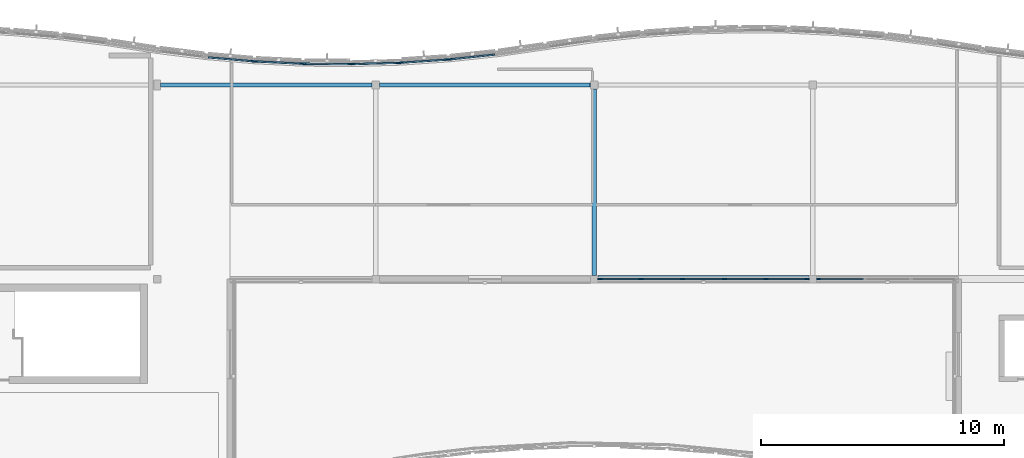
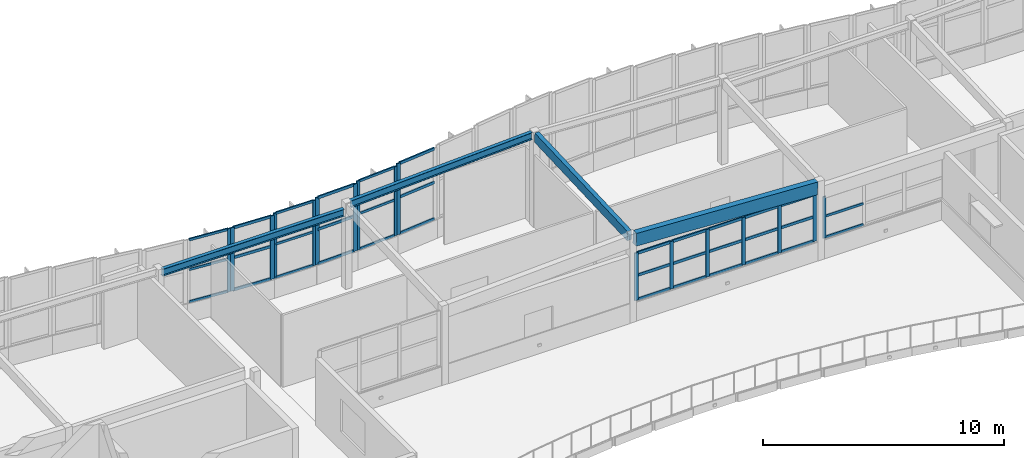
# One storey, part 5 of 20: 52 members, 4 beams, 8 elements without a shape of their own.
"""IFC4 building model written with IfcOpenShell, lengths in metres."""

from ifc_helpers import new_model, si_unit, direction, frame, origin, origin_2d, place, context, subcontext, project, spatial, rectangle, i_section, extrude, material, layer, layer_set, material_profile, profile_set, type_object, element, aggregate, save


model = new_model("IFC4")

# Units and contexts
model_context = context("Model", 3, precision=1e-05, world=origin(), true_north=direction((0.0, 1.0)))
body_context = subcontext(model_context, "Body", "Model", "MODEL_VIEW")
ifc_project = project(units=[si_unit("LENGTHUNIT", "METRE"), si_unit("AREAUNIT", "SQUARE_METRE"), si_unit("VOLUMEUNIT", "CUBIC_METRE"), si_unit("PLANEANGLEUNIT", "RADIAN"), si_unit("MASSUNIT", "GRAM", prefix="KILO")], contexts=[model_context])

# Site, building, storey
site_placement = place(None, origin())
site = spatial("IfcSite", under=ifc_project, at=site_placement, CompositionType="ELEMENT")
building_placement = place(site_placement, origin())
building = spatial("IfcBuilding", under=site, at=building_placement, Name="Tonlespit Floodbar School", CompositionType="ELEMENT")
storey_placement = place(building_placement, frame((0.0, 0.0, 20.10009765625)))
storey = spatial("IfcBuildingStorey", under=building, at=storey_placement, Name="L05", CompositionType="ELEMENT", Elevation=20.10009765625)

# Beams
ifc_material_1 = material(Name="Glulam GL28h", Category="wood")
ifc_material_profile_1 = material_profile(ifc_material_1, rectangle(XDim=0.199951171875, YDim=0.47998046875, at=origin_2d()), Name="GL 200x480")
ifc_profile_set_1 = profile_set([ifc_material_profile_1], Name="Glulam GL28h")
beam_type_1 = type_object("IfcBeamType", Name="Beam_GL_200x480", PredefinedType="BEAM", material=ifc_profile_set_1)
beam_1_placement = place(storey_placement, frame((80.0, 112.159912109375, 4.193603515625), z_axis=(0.0, 0.999069533259, 0.043128502326), x_axis=(-1.0, 0.0, 0.0)))
element("IfcBeam", 1, at=beam_1_placement, inside=storey, type_object=beam_type_1, Name="L05 girder 1356", PredefinedType="BEAM", context=body_context, shape_type="SweptSolid", body=[
    extrude(rectangle(XDim=0.199951171875, YDim=0.47998046875, at=origin_2d()), origin(), (0.0, 0.0, 1.0), 7.687255859375),
])
ifc_material_profile_2 = material_profile(ifc_material_1, rectangle(XDim=0.280029296875, YDim=0.639892578125, at=origin_2d()), Name="GL 280x640")
ifc_profile_set_2 = profile_set([ifc_material_profile_2], Name="Glulam GL28h")
beam_type_2 = type_object("IfcBeamType", Name="Beam_GL_280x640", PredefinedType="BEAM", material=ifc_profile_set_2)
beam_2_placement = place(storey_placement, frame((80.159912109375, 112.0, 4.098876953125), z_axis=(0.998785324157, 0.0, -0.049273484237), x_axis=(0.0, 1.0, 0.0)))
element("IfcBeam", 2, at=beam_2_placement, inside=storey, type_object=beam_type_2, Name="L05 girder 1342", PredefinedType="BEAM", context=body_context, shape_type="SweptSolid", body=[
    extrude(rectangle(XDim=0.280029296875, YDim=0.639892578125, at=origin_2d()), origin(), (0.0, 0.0, 1.0), 8.690673828125),
])

# Curtain wall, member
ifc_material_2 = material(Name="Anodised Aluminium", Category="aluminium")
ifc_layer_1 = layer(ifc_material_2, 0.159912109375)
ifc_layer_set_1 = layer_set([ifc_layer_1], Name="Anodised Aluminium")
curtain_wall_type_1 = type_object("IfcCurtainWallType", Name="CurtainWall_1950x3200", PredefinedType="NOTDEFINED", material=ifc_layer_set_1)
curtain_wall_1_placement = place(storey_placement, origin())
curtain_wall_1 = element("IfcCurtainWall", 3, at=curtain_wall_1_placement, inside=storey, type_object=curtain_wall_type_1, Name="L05 unitised curtain wall 0218", PredefinedType="NOTDEFINED")
ifc_material_profile_3 = material_profile(ifc_material_2, rectangle(XDim=0.06494140625, YDim=0.14990234375, at=origin_2d()), Name="ALU M65x150")
ifc_profile_set_3 = profile_set([ifc_material_profile_3], Name="Anodised Aluminium")
member_type_1 = type_object("IfcMemberType", Name="CW_Mullion_65x150", PredefinedType="MULLION", material=ifc_profile_set_3)
member_1_placement = place(storey_placement, frame((65.927734375, 120.974853515625, 0.949951171875), z_axis=(0.0, 0.0, 1.0), x_axis=(0.086531117454, 0.996249148412, 0.0)))
member_1 = element("IfcMember", 4, at=member_1_placement, type_object=member_type_1, Name="CW-17 mullion 2", PredefinedType="MULLION", context=body_context, shape_type="SweptSolid", body=[
    extrude(rectangle(XDim=0.06494140625, YDim=0.14990234375, at=origin_2d()), origin(), (0.0, 0.0, 1.0), 3.197265625),
])

# Curtain wall, members
ifc_layer_2 = layer(ifc_material_2, 0.159912109375)
ifc_layer_set_2 = layer_set([ifc_layer_2], Name="Anodised Aluminium")
curtain_wall_type_2 = type_object("IfcCurtainWallType", Name="CurtainWall_1900x3300", PredefinedType="NOTDEFINED", material=ifc_layer_set_2)
curtain_wall_2_placement = place(storey_placement, origin())
curtain_wall_2 = element("IfcCurtainWall", 5, at=curtain_wall_2_placement, inside=storey, type_object=curtain_wall_type_2, Name="L05 unitised curtain wall 0220", PredefinedType="NOTDEFINED")
member_2_placement = place(storey_placement, frame((68.072509765625, 120.87158203125, 0.949951171875), z_axis=(0.0, 0.0, 1.0), x_axis=(0.009582893292, 0.999954083024, 0.0)))
member_2 = element("IfcMember", 6, at=member_2_placement, type_object=member_type_1, Name="CW-02 mullion 1", PredefinedType="MULLION", context=body_context, shape_type="SweptSolid", body=[
    extrude(rectangle(XDim=0.06494140625, YDim=0.14990234375, at=origin_2d()), origin(), (0.0, 0.0, 1.0), 3.2978515625),
])
member_3_placement = place(storey_placement, frame((69.927490234375, 120.853759765625, 0.949951171875), z_axis=(0.0, 0.0, 1.0), x_axis=(0.009582893292, 0.999954083024, 0.0)))
member_3 = element("IfcMember", 7, at=member_3_placement, type_object=member_type_1, Name="CW-02 mullion 2", PredefinedType="MULLION", context=body_context, shape_type="SweptSolid", body=[
    extrude(rectangle(XDim=0.06494140625, YDim=0.14990234375, at=origin_2d()), origin(), (0.0, 0.0, 1.0), 3.2978515625),
])

ifc_layer_3 = layer(ifc_material_2, 0.159912109375)
ifc_layer_set_3 = layer_set([ifc_layer_3], Name="Anodised Aluminium")
curtain_wall_type_3 = type_object("IfcCurtainWallType", Name="CurtainWall_1900x3500", PredefinedType="NOTDEFINED", material=ifc_layer_set_3)
curtain_wall_3_placement = place(storey_placement, origin())
curtain_wall_3 = element("IfcCurtainWall", 8, at=curtain_wall_3_placement, inside=storey, type_object=curtain_wall_type_3, Name="L05 unitised curtain wall 0222", PredefinedType="NOTDEFINED")
member_4_placement = place(storey_placement, frame((72.072265625, 120.91552734375, 0.949951171875), z_axis=(0.0, 0.0, 1.0), x_axis=(-0.067339767311, 0.99773010165, 0.0)))
member_4 = element("IfcMember", 9, at=member_4_placement, type_object=member_type_1, Name="CW-20 mullion 1", PredefinedType="MULLION", context=body_context, shape_type="SweptSolid", body=[
    extrude(rectangle(XDim=0.06494140625, YDim=0.14990234375, at=origin_2d()), origin(), (0.0, 0.0, 1.0), 3.49658203125),
])
member_5_placement = place(storey_placement, frame((73.927734375, 121.040771484375, 0.949951171875), z_axis=(0.0, 0.0, 1.0), x_axis=(-0.067339767311, 0.99773010165, 0.0)))
member_5 = element("IfcMember", 10, at=member_5_placement, type_object=member_type_1, Name="CW-20 mullion 2", PredefinedType="MULLION", context=body_context, shape_type="SweptSolid", body=[
    extrude(rectangle(XDim=0.06494140625, YDim=0.14990234375, at=origin_2d()), origin(), (0.0, 0.0, 1.0), 3.49658203125),
])

# Curtain wall, member
ifc_layer_4 = layer(ifc_material_2, 0.159912109375)
ifc_layer_set_4 = layer_set([ifc_layer_4], Name="Anodised Aluminium")
curtain_wall_type_4 = type_object("IfcCurtainWallType", Name="CurtainWall_5750x2100", PredefinedType="NOTDEFINED", material=ifc_layer_set_4)
curtain_wall_4_placement = place(storey_placement, origin())
curtain_wall_4 = element("IfcCurtainWall", 11, at=curtain_wall_4_placement, inside=storey, type_object=curtain_wall_type_4, Name="L05 unitised curtain wall 0246", PredefinedType="NOTDEFINED")
member_6_placement = place(storey_placement, frame((89.232421875, 112.0, 0.949951171875), z_axis=(0.0, 0.0, 1.0), x_axis=(0.0, -1.0, 0.0)))
member_6 = element("IfcMember", 12, at=member_6_placement, type_object=member_type_1, Name="CW-30 mullion 4", PredefinedType="MULLION", context=body_context, shape_type="SweptSolid", body=[
    extrude(rectangle(XDim=0.06494140625, YDim=0.14990234375, at=origin_2d()), origin(), (0.0, 0.0, 1.0), 2.0966796875),
])

# Curtain wall, members
ifc_layer_5 = layer(ifc_material_2, 0.159912109375)
ifc_layer_set_5 = layer_set([ifc_layer_5], Name="Anodised Aluminium")
curtain_wall_type_5 = type_object("IfcCurtainWallType", Name="CurtainWall_1900x3200", PredefinedType="NOTDEFINED", material=ifc_layer_set_5)
curtain_wall_5_placement = place(storey_placement, origin())
curtain_wall_5 = element("IfcCurtainWall", 13, at=curtain_wall_5_placement, inside=storey, type_object=curtain_wall_type_5, Name="L05 unitised curtain wall 0219", PredefinedType="NOTDEFINED")
ifc_material_profile_4 = material_profile(ifc_material_2, rectangle(XDim=0.06494140625, YDim=0.179931640625, at=origin_2d()), Name="ALU M65x180")
ifc_profile_set_4 = profile_set([ifc_material_profile_4], Name="Anodised Aluminium")
member_type_2 = type_object("IfcMemberType", Name="CW_Mullion_65x180", PredefinedType="MULLION", material=ifc_profile_set_4)
member_7_placement = place(storey_placement, frame((66.072509765625, 120.965087890625, 0.949951171875), z_axis=(0.0, 0.0, 1.0), x_axis=(0.048121270216, 0.998841500616, 0.0)))
member_7 = element("IfcMember", 14, at=member_7_placement, type_object=member_type_2, Name="CW-18 mullion 1", PredefinedType="MULLION", context=body_context, shape_type="SweptSolid", body=[
    extrude(rectangle(XDim=0.06494140625, YDim=0.179931640625, at=origin_2d()), origin(), (0.0, 0.0, 1.0), 3.203125),
])
member_8_placement = place(storey_placement, frame((67.927490234375, 120.875732421875, 0.949951171875), z_axis=(0.0, 0.0, 1.0), x_axis=(0.048121270216, 0.998841500616, 0.0)))
member_8 = element("IfcMember", 15, at=member_8_placement, type_object=member_type_2, Name="CW-18 mullion 2", PredefinedType="MULLION", context=body_context, shape_type="SweptSolid", body=[
    extrude(rectangle(XDim=0.06494140625, YDim=0.179931640625, at=origin_2d()), origin(), (0.0, 0.0, 1.0), 3.203125),
])

ifc_layer_6 = layer(ifc_material_2, 0.159912109375)
ifc_layer_set_6 = layer_set([ifc_layer_6], Name="Anodised Aluminium")
curtain_wall_type_6 = type_object("IfcCurtainWallType", Name="CurtainWall_1900x3400", PredefinedType="NOTDEFINED", material=ifc_layer_set_6)
curtain_wall_6_placement = place(storey_placement, origin())
curtain_wall_6 = element("IfcCurtainWall", 16, at=curtain_wall_6_placement, inside=storey, type_object=curtain_wall_type_6, Name="L05 unitised curtain wall 0221", PredefinedType="NOTDEFINED")
member_9_placement = place(storey_placement, frame((70.072509765625, 120.855224609375, 0.949951171875), z_axis=(0.0, 0.0, 1.0), x_axis=(-0.028790144226, 0.999585477883, 0.0)))
member_9 = element("IfcMember", 17, at=member_9_placement, type_object=member_type_2, Name="CW-19 mullion 1", PredefinedType="MULLION", context=body_context, shape_type="SweptSolid", body=[
    extrude(rectangle(XDim=0.06494140625, YDim=0.179931640625, at=origin_2d()), origin(), (0.0, 0.0, 1.0), 3.3955078125),
])
member_10_placement = place(storey_placement, frame((71.927490234375, 120.908447265625, 0.949951171875), z_axis=(0.0, 0.0, 1.0), x_axis=(-0.028790144226, 0.999585477883, 0.0)))
member_10 = element("IfcMember", 18, at=member_10_placement, type_object=member_type_2, Name="CW-19 mullion 2", PredefinedType="MULLION", context=body_context, shape_type="SweptSolid", body=[
    extrude(rectangle(XDim=0.06494140625, YDim=0.179931640625, at=origin_2d()), origin(), (0.0, 0.0, 1.0), 3.3955078125),
])

# Curtain wall, member
ifc_layer_7 = layer(ifc_material_2, 0.159912109375)
ifc_layer_set_7 = layer_set([ifc_layer_7], Name="Anodised Aluminium")
curtain_wall_type_7 = type_object("IfcCurtainWallType", Name="CurtainWall_1950x3600", PredefinedType="NOTDEFINED", material=ifc_layer_set_7)
curtain_wall_7_placement = place(storey_placement, origin())
curtain_wall_7 = element("IfcCurtainWall", 19, at=curtain_wall_7_placement, inside=storey, type_object=curtain_wall_type_7, Name="L05 unitised curtain wall 0223", PredefinedType="NOTDEFINED")
member_11_placement = place(storey_placement, frame((74.072021484375, 121.05322265625, 0.949951171875), z_axis=(0.0, 0.0, 1.0), x_axis=(-0.105787143968, 0.994388797288, 0.0)))
member_11 = element("IfcMember", 20, at=member_11_placement, type_object=member_type_2, Name="CW-21 mullion 1", PredefinedType="MULLION", context=body_context, shape_type="SweptSolid", body=[
    extrude(rectangle(XDim=0.06494140625, YDim=0.179931640625, at=origin_2d()), origin(), (0.0, 0.0, 1.0), 3.60107421875),
])

# Curtain wall, members
ifc_layer_8 = layer(ifc_material_2, 0.159912109375)
ifc_layer_set_8 = layer_set([ifc_layer_8], Name="Anodised Aluminium")
curtain_wall_type_8 = type_object("IfcCurtainWallType", Name="CurtainWall_8600x2400", PredefinedType="NOTDEFINED", material=ifc_layer_set_8)
curtain_wall_8_placement = place(storey_placement, origin())
curtain_wall_8 = element("IfcCurtainWall", 21, at=curtain_wall_8_placement, inside=storey, type_object=curtain_wall_type_8, Name="L05 unitised curtain wall 0247", PredefinedType="NOTDEFINED")
member_12_placement = place(storey_placement, frame((88.767578125, 112.0, 0.949951171875), z_axis=(0.0, 0.0, 1.0), x_axis=(0.0, -1.0, 0.0)))
member_12 = element("IfcMember", 22, at=member_12_placement, type_object=member_type_2, Name="CW-31 mullion 1", PredefinedType="MULLION", context=body_context, shape_type="SweptSolid", body=[
    extrude(rectangle(XDim=0.06494140625, YDim=0.179931640625, at=origin_2d()), origin(), (0.0, 0.0, 1.0), 2.400634765625),
])
member_13_placement = place(storey_placement, frame((87.080078125, 112.0, 0.949951171875), z_axis=(0.0, 0.0, 1.0), x_axis=(0.0, -1.0, 0.0)))
member_13 = element("IfcMember", 23, at=member_13_placement, type_object=member_type_2, Name="CW-31 mullion 2", PredefinedType="MULLION", context=body_context, shape_type="SweptSolid", body=[
    extrude(rectangle(XDim=0.06494140625, YDim=0.179931640625, at=origin_2d()), origin(), (0.0, 0.0, 1.0), 2.400634765625),
])
member_14_placement = place(storey_placement, frame((85.360107421875, 112.0, 0.949951171875), z_axis=(0.0, 0.0, 1.0), x_axis=(0.0, -1.0, 0.0)))
member_14 = element("IfcMember", 24, at=member_14_placement, type_object=member_type_2, Name="CW-31 mullion 3", PredefinedType="MULLION", context=body_context, shape_type="SweptSolid", body=[
    extrude(rectangle(XDim=0.06494140625, YDim=0.179931640625, at=origin_2d()), origin(), (0.0, 0.0, 1.0), 2.400634765625),
])
member_15_placement = place(storey_placement, frame((83.639892578125, 112.0, 0.949951171875), z_axis=(0.0, 0.0, 1.0), x_axis=(0.0, -1.0, 0.0)))
member_15 = element("IfcMember", 25, at=member_15_placement, type_object=member_type_2, Name="CW-31 mullion 4", PredefinedType="MULLION", context=body_context, shape_type="SweptSolid", body=[
    extrude(rectangle(XDim=0.06494140625, YDim=0.179931640625, at=origin_2d()), origin(), (0.0, 0.0, 1.0), 2.400634765625),
])
member_16_placement = place(storey_placement, frame((81.919921875, 112.0, 0.949951171875), z_axis=(0.0, 0.0, 1.0), x_axis=(0.0, -1.0, 0.0)))
member_16 = element("IfcMember", 26, at=member_16_placement, type_object=member_type_2, Name="CW-31 mullion 5", PredefinedType="MULLION", context=body_context, shape_type="SweptSolid", body=[
    extrude(rectangle(XDim=0.06494140625, YDim=0.179931640625, at=origin_2d()), origin(), (0.0, 0.0, 1.0), 2.400634765625),
])
member_17_placement = place(storey_placement, frame((80.232421875, 112.0, 0.949951171875), z_axis=(0.0, 0.0, 1.0), x_axis=(0.0, -1.0, 0.0)))
member_17 = element("IfcMember", 27, at=member_17_placement, type_object=member_type_2, Name="CW-31 mullion 6", PredefinedType="MULLION", context=body_context, shape_type="SweptSolid", body=[
    extrude(rectangle(XDim=0.06494140625, YDim=0.179931640625, at=origin_2d()), origin(), (0.0, 0.0, 1.0), 2.400634765625),
])

# Member
ifc_material_profile_5 = material_profile(ifc_material_2, rectangle(XDim=0.06494140625, YDim=0.1201171875, at=origin_2d()), Name="ALU T65x120")
ifc_profile_set_5 = profile_set([ifc_material_profile_5], Name="Anodised Aluminium")
member_type_3 = type_object("IfcMemberType", Name="CW_Transom_65x120", PredefinedType="USERDEFINED", material=ifc_profile_set_5)
member_18_placement = place(storey_placement, frame((64.1044921875, 121.133056640625, 0.982421875), z_axis=(0.996251281774, -0.086506552139, 0.0), x_axis=(0.086506552139, 0.996251281774, 0.0)))
member_18 = element("IfcMember", 28, at=member_18_placement, type_object=member_type_3, Name="CW-17 transom 1.1", ObjectType="TRANSOM", PredefinedType="USERDEFINED", context=body_context, shape_type="SweptSolid", body=[
    extrude(rectangle(XDim=0.06494140625, YDim=0.1201171875, at=origin_2d()), origin(), (0.0, 0.0, 1.0), 1.7978515625),
])

member_19_placement = place(storey_placement, frame((64.1044921875, 121.133056640625, 2.6123046875), z_axis=(0.996251281774, -0.086506552139, 0.0), x_axis=(0.086506552139, 0.996251281774, 0.0)))
member_19 = element("IfcMember", 29, at=member_19_placement, type_object=member_type_3, Name="CW-17 transom 1.2", ObjectType="TRANSOM", PredefinedType="USERDEFINED", context=body_context, shape_type="SweptSolid", body=[
    extrude(rectangle(XDim=0.06494140625, YDim=0.1201171875, at=origin_2d()), origin(), (0.0, 0.0, 1.0), 1.7978515625),
])

member_20_placement = place(storey_placement, frame((64.1044921875, 121.133056640625, 4.114501953125), z_axis=(0.996251281774, -0.086506552139, 0.0), x_axis=(0.086506552139, 0.996251281774, 0.0)))
member_20 = element("IfcMember", 30, at=member_20_placement, type_object=member_type_3, Name="CW-17 transom 1.3", ObjectType="TRANSOM", PredefinedType="USERDEFINED", context=body_context, shape_type="SweptSolid", body=[
    extrude(rectangle(XDim=0.06494140625, YDim=0.1201171875, at=origin_2d()), origin(), (0.0, 0.0, 1.0), 1.7978515625),
])

aggregate(curtain_wall_1, [member_1, member_18, member_19, member_20])

member_21_placement = place(storey_placement, frame((68.10498046875, 120.87109375, 0.982421875), z_axis=(0.999954428693, -0.00954675532, 0.0), x_axis=(0.00954675532, 0.999954428693, 0.0)))
member_21 = element("IfcMember", 31, at=member_21_placement, type_object=member_type_3, Name="CW-02 transom 1.1", ObjectType="TRANSOM", PredefinedType="USERDEFINED", context=body_context, shape_type="SweptSolid", body=[
    extrude(rectangle(XDim=0.06494140625, YDim=0.1201171875, at=origin_2d()), origin(), (0.0, 0.0, 1.0), 1.7900390625),
])

member_22_placement = place(storey_placement, frame((68.10498046875, 120.87109375, 2.664794921875), z_axis=(0.999954428693, -0.00954675532, 0.0), x_axis=(0.00954675532, 0.999954428693, 0.0)))
member_22 = element("IfcMember", 32, at=member_22_placement, type_object=member_type_3, Name="CW-02 transom 1.2", ObjectType="TRANSOM", PredefinedType="USERDEFINED", context=body_context, shape_type="SweptSolid", body=[
    extrude(rectangle(XDim=0.06494140625, YDim=0.1201171875, at=origin_2d()), origin(), (0.0, 0.0, 1.0), 1.7900390625),
])

member_23_placement = place(storey_placement, frame((68.10498046875, 120.87109375, 4.215087890625), z_axis=(0.999954428693, -0.00954675532, 0.0), x_axis=(0.00954675532, 0.999954428693, 0.0)))
member_23 = element("IfcMember", 33, at=member_23_placement, type_object=member_type_3, Name="CW-02 transom 1.3", ObjectType="TRANSOM", PredefinedType="USERDEFINED", context=body_context, shape_type="SweptSolid", body=[
    extrude(rectangle(XDim=0.06494140625, YDim=0.1201171875, at=origin_2d()), origin(), (0.0, 0.0, 1.0), 1.7900390625),
])

aggregate(curtain_wall_2, [member_2, member_3, member_21, member_22, member_23])

member_24_placement = place(storey_placement, frame((72.104736328125, 120.917724609375, 0.982421875), z_axis=(0.997730041674, 0.067340655935, 0.0), x_axis=(-0.067340655935, 0.997730041674, 0.0)))
member_24 = element("IfcMember", 34, at=member_24_placement, type_object=member_type_3, Name="CW-20 transom 1.1", ObjectType="TRANSOM", PredefinedType="USERDEFINED", context=body_context, shape_type="SweptSolid", body=[
    extrude(rectangle(XDim=0.06494140625, YDim=0.1201171875, at=origin_2d()), origin(), (0.0, 0.0, 1.0), 1.794677734375),
])

member_25_placement = place(storey_placement, frame((72.104736328125, 120.917724609375, 2.768310546875), z_axis=(0.997730041674, 0.067340655935, 0.0), x_axis=(-0.067340655935, 0.997730041674, 0.0)))
member_25 = element("IfcMember", 35, at=member_25_placement, type_object=member_type_3, Name="CW-20 transom 1.2", ObjectType="TRANSOM", PredefinedType="USERDEFINED", context=body_context, shape_type="SweptSolid", body=[
    extrude(rectangle(XDim=0.06494140625, YDim=0.1201171875, at=origin_2d()), origin(), (0.0, 0.0, 1.0), 1.794677734375),
])

member_26_placement = place(storey_placement, frame((72.104736328125, 120.917724609375, 4.4140625), z_axis=(0.997730041674, 0.067340655935, 0.0), x_axis=(-0.067340655935, 0.997730041674, 0.0)))
member_26 = element("IfcMember", 36, at=member_26_placement, type_object=member_type_3, Name="CW-20 transom 1.3", ObjectType="TRANSOM", PredefinedType="USERDEFINED", context=body_context, shape_type="SweptSolid", body=[
    extrude(rectangle(XDim=0.06494140625, YDim=0.1201171875, at=origin_2d()), origin(), (0.0, 0.0, 1.0), 1.794677734375),
])

aggregate(curtain_wall_3, [member_4, member_5, member_24, member_25, member_26])

member_27_placement = place(storey_placement, frame((91.08740234375, 112.0, 0.982421875), z_axis=(-1.0, 0.0, 0.0), x_axis=(0.0, -1.0, 0.0)))
member_27 = element("IfcMember", 37, at=member_27_placement, type_object=member_type_3, Name="CW-30 transom 3.1", ObjectType="TRANSOM", PredefinedType="USERDEFINED", context=body_context, shape_type="SweptSolid", body=[
    extrude(rectangle(XDim=0.06494140625, YDim=0.1201171875, at=origin_2d()), origin(), (0.0, 0.0, 1.0), 1.822509765625),
])

member_28_placement = place(storey_placement, frame((91.08740234375, 112.0, 2.040283203125), z_axis=(-1.0, 0.0, 0.0), x_axis=(0.0, -1.0, 0.0)))
member_28 = element("IfcMember", 38, at=member_28_placement, type_object=member_type_3, Name="CW-30 transom 3.2", ObjectType="TRANSOM", PredefinedType="USERDEFINED", context=body_context, shape_type="SweptSolid", body=[
    extrude(rectangle(XDim=0.06494140625, YDim=0.1201171875, at=origin_2d()), origin(), (0.0, 0.0, 1.0), 1.822509765625),
])

aggregate(curtain_wall_4, [member_6, member_27, member_28])

ifc_material_profile_6 = material_profile(ifc_material_2, rectangle(XDim=0.06494140625, YDim=0.139892578125, at=origin_2d()), Name="ALU T65x140")
ifc_profile_set_6 = profile_set([ifc_material_profile_6], Name="Anodised Aluminium")
member_type_4 = type_object("IfcMemberType", Name="CW_Transom_65x140", PredefinedType="USERDEFINED", material=ifc_profile_set_6)
member_29_placement = place(storey_placement, frame((66.10498046875, 120.96337890625, 0.982421875), z_axis=(0.998843034795, -0.048089415069, 0.0), x_axis=(0.048089415069, 0.998843034795, 0.0)))
member_29 = element("IfcMember", 39, at=member_29_placement, type_object=member_type_4, Name="CW-18 transom 1.1", ObjectType="TRANSOM", PredefinedType="USERDEFINED", context=body_context, shape_type="SweptSolid", body=[
    extrude(rectangle(XDim=0.06494140625, YDim=0.139892578125, at=origin_2d()), origin(), (0.0, 0.0, 1.0), 1.7919921875),
])

member_30_placement = place(storey_placement, frame((66.10498046875, 120.96337890625, 2.61572265625), z_axis=(0.998843034795, -0.048089415069, 0.0), x_axis=(0.048089415069, 0.998843034795, 0.0)))
member_30 = element("IfcMember", 40, at=member_30_placement, type_object=member_type_4, Name="CW-18 transom 1.2", ObjectType="TRANSOM", PredefinedType="USERDEFINED", context=body_context, shape_type="SweptSolid", body=[
    extrude(rectangle(XDim=0.06494140625, YDim=0.139892578125, at=origin_2d()), origin(), (0.0, 0.0, 1.0), 1.7919921875),
])

member_31_placement = place(storey_placement, frame((66.10498046875, 120.96337890625, 4.12060546875), z_axis=(0.998843034795, -0.048089415069, 0.0), x_axis=(0.048089415069, 0.998843034795, 0.0)))
member_31 = element("IfcMember", 41, at=member_31_placement, type_object=member_type_4, Name="CW-18 transom 1.3", ObjectType="TRANSOM", PredefinedType="USERDEFINED", context=body_context, shape_type="SweptSolid", body=[
    extrude(rectangle(XDim=0.06494140625, YDim=0.139892578125, at=origin_2d()), origin(), (0.0, 0.0, 1.0), 1.7919921875),
])

aggregate(curtain_wall_5, [member_7, member_8, member_29, member_30, member_31])

member_32_placement = place(storey_placement, frame((70.10498046875, 120.85595703125, 0.982421875), z_axis=(0.999582242166, 0.028902268868, 0.0), x_axis=(-0.028902268868, 0.999582242166, 0.0)))
member_32 = element("IfcMember", 42, at=member_32_placement, type_object=member_type_4, Name="CW-19 transom 1.1", ObjectType="TRANSOM", PredefinedType="USERDEFINED", context=body_context, shape_type="SweptSolid", body=[
    extrude(rectangle(XDim=0.06494140625, YDim=0.139892578125, at=origin_2d()), origin(), (0.0, 0.0, 1.0), 1.790771484375),
])

member_33_placement = place(storey_placement, frame((70.10498046875, 120.85595703125, 2.715576171875), z_axis=(0.999582242166, 0.028902268868, 0.0), x_axis=(-0.028902268868, 0.999582242166, 0.0)))
member_33 = element("IfcMember", 43, at=member_33_placement, type_object=member_type_4, Name="CW-19 transom 1.2", ObjectType="TRANSOM", PredefinedType="USERDEFINED", context=body_context, shape_type="SweptSolid", body=[
    extrude(rectangle(XDim=0.06494140625, YDim=0.139892578125, at=origin_2d()), origin(), (0.0, 0.0, 1.0), 1.790771484375),
])

member_34_placement = place(storey_placement, frame((70.10498046875, 120.85595703125, 4.31298828125), z_axis=(0.999582242166, 0.028902268868, 0.0), x_axis=(-0.028902268868, 0.999582242166, 0.0)))
member_34 = element("IfcMember", 44, at=member_34_placement, type_object=member_type_4, Name="CW-19 transom 1.3", ObjectType="TRANSOM", PredefinedType="USERDEFINED", context=body_context, shape_type="SweptSolid", body=[
    extrude(rectangle(XDim=0.06494140625, YDim=0.139892578125, at=origin_2d()), origin(), (0.0, 0.0, 1.0), 1.790771484375),
])

aggregate(curtain_wall_6, [member_9, member_10, member_32, member_33, member_34])

member_35_placement = place(storey_placement, frame((74.1044921875, 121.056884765625, 0.982421875), z_axis=(0.994394979136, 0.105729019047, 0.0), x_axis=(-0.105729019047, 0.994394979136, 0.0)))
member_35 = element("IfcMember", 45, at=member_35_placement, type_object=member_type_4, Name="CW-21 transom 1.1", ObjectType="TRANSOM", PredefinedType="USERDEFINED", context=body_context, shape_type="SweptSolid", body=[
    extrude(rectangle(XDim=0.06494140625, YDim=0.139892578125, at=origin_2d()), origin(), (0.0, 0.0, 1.0), 1.801025390625),
])

member_36_placement = place(storey_placement, frame((74.1044921875, 121.056884765625, 2.822509765625), z_axis=(0.994394979136, 0.105729019047, 0.0), x_axis=(-0.105729019047, 0.994394979136, 0.0)))
member_36 = element("IfcMember", 46, at=member_36_placement, type_object=member_type_4, Name="CW-21 transom 1.2", ObjectType="TRANSOM", PredefinedType="USERDEFINED", context=body_context, shape_type="SweptSolid", body=[
    extrude(rectangle(XDim=0.06494140625, YDim=0.139892578125, at=origin_2d()), origin(), (0.0, 0.0, 1.0), 1.801025390625),
])

member_37_placement = place(storey_placement, frame((74.1044921875, 121.056884765625, 4.5185546875), z_axis=(0.994394979136, 0.105729019047, 0.0), x_axis=(-0.105729019047, 0.994394979136, 0.0)))
member_37 = element("IfcMember", 47, at=member_37_placement, type_object=member_type_4, Name="CW-21 transom 1.3", ObjectType="TRANSOM", PredefinedType="USERDEFINED", context=body_context, shape_type="SweptSolid", body=[
    extrude(rectangle(XDim=0.06494140625, YDim=0.139892578125, at=origin_2d()), origin(), (0.0, 0.0, 1.0), 1.801025390625),
])

aggregate(curtain_wall_7, [member_11, member_35, member_36, member_37])

member_38_placement = place(storey_placement, frame((88.735107421875, 112.0, 0.982421875), z_axis=(-1.0, 0.0, 0.0), x_axis=(0.0, -1.0, 0.0)))
member_38 = element("IfcMember", 48, at=member_38_placement, type_object=member_type_4, Name="CW-31 transom 1.1", ObjectType="TRANSOM", PredefinedType="USERDEFINED", context=body_context, shape_type="SweptSolid", body=[
    extrude(rectangle(XDim=0.06494140625, YDim=0.139892578125, at=origin_2d()), origin(), (0.0, 0.0, 1.0), 1.62255859375),
])

member_39_placement = place(storey_placement, frame((88.735107421875, 112.0, 2.1982421875), z_axis=(-1.0, 0.0, 0.0), x_axis=(0.0, -1.0, 0.0)))
member_39 = element("IfcMember", 49, at=member_39_placement, type_object=member_type_4, Name="CW-31 transom 1.2", ObjectType="TRANSOM", PredefinedType="USERDEFINED", context=body_context, shape_type="SweptSolid", body=[
    extrude(rectangle(XDim=0.06494140625, YDim=0.139892578125, at=origin_2d()), origin(), (0.0, 0.0, 1.0), 1.62255859375),
])

member_40_placement = place(storey_placement, frame((88.735107421875, 112.0, 3.318115234375), z_axis=(-1.0, 0.0, 0.0), x_axis=(0.0, -1.0, 0.0)))
member_40 = element("IfcMember", 50, at=member_40_placement, type_object=member_type_4, Name="CW-31 transom 1.3", ObjectType="TRANSOM", PredefinedType="USERDEFINED", context=body_context, shape_type="SweptSolid", body=[
    extrude(rectangle(XDim=0.06494140625, YDim=0.139892578125, at=origin_2d()), origin(), (0.0, 0.0, 1.0), 1.62255859375),
])

member_41_placement = place(storey_placement, frame((87.047607421875, 112.0, 0.982421875), z_axis=(-1.0, 0.0, 0.0), x_axis=(0.0, -1.0, 0.0)))
member_41 = element("IfcMember", 51, at=member_41_placement, type_object=member_type_4, Name="CW-31 transom 2.1", ObjectType="TRANSOM", PredefinedType="USERDEFINED", context=body_context, shape_type="SweptSolid", body=[
    extrude(rectangle(XDim=0.06494140625, YDim=0.139892578125, at=origin_2d()), origin(), (0.0, 0.0, 1.0), 1.655029296875),
])

member_42_placement = place(storey_placement, frame((87.047607421875, 112.0, 2.1982421875), z_axis=(-1.0, 0.0, 0.0), x_axis=(0.0, -1.0, 0.0)))
member_42 = element("IfcMember", 52, at=member_42_placement, type_object=member_type_4, Name="CW-31 transom 2.2", ObjectType="TRANSOM", PredefinedType="USERDEFINED", context=body_context, shape_type="SweptSolid", body=[
    extrude(rectangle(XDim=0.06494140625, YDim=0.139892578125, at=origin_2d()), origin(), (0.0, 0.0, 1.0), 1.655029296875),
])

member_43_placement = place(storey_placement, frame((87.047607421875, 112.0, 3.318115234375), z_axis=(-1.0, 0.0, 0.0), x_axis=(0.0, -1.0, 0.0)))
member_43 = element("IfcMember", 53, at=member_43_placement, type_object=member_type_4, Name="CW-31 transom 2.3", ObjectType="TRANSOM", PredefinedType="USERDEFINED", context=body_context, shape_type="SweptSolid", body=[
    extrude(rectangle(XDim=0.06494140625, YDim=0.139892578125, at=origin_2d()), origin(), (0.0, 0.0, 1.0), 1.655029296875),
])

member_44_placement = place(storey_placement, frame((85.327392578125, 112.0, 0.982421875), z_axis=(-1.0, 0.0, 0.0), x_axis=(0.0, -1.0, 0.0)))
member_44 = element("IfcMember", 54, at=member_44_placement, type_object=member_type_4, Name="CW-31 transom 3.1", ObjectType="TRANSOM", PredefinedType="USERDEFINED", context=body_context, shape_type="SweptSolid", body=[
    extrude(rectangle(XDim=0.06494140625, YDim=0.139892578125, at=origin_2d()), origin(), (0.0, 0.0, 1.0), 1.65478515625),
])

member_45_placement = place(storey_placement, frame((85.327392578125, 112.0, 2.1982421875), z_axis=(-1.0, 0.0, 0.0), x_axis=(0.0, -1.0, 0.0)))
member_45 = element("IfcMember", 55, at=member_45_placement, type_object=member_type_4, Name="CW-31 transom 3.2", ObjectType="TRANSOM", PredefinedType="USERDEFINED", context=body_context, shape_type="SweptSolid", body=[
    extrude(rectangle(XDim=0.06494140625, YDim=0.139892578125, at=origin_2d()), origin(), (0.0, 0.0, 1.0), 1.65478515625),
])

member_46_placement = place(storey_placement, frame((85.327392578125, 112.0, 3.318115234375), z_axis=(-1.0, 0.0, 0.0), x_axis=(0.0, -1.0, 0.0)))
member_46 = element("IfcMember", 56, at=member_46_placement, type_object=member_type_4, Name="CW-31 transom 3.3", ObjectType="TRANSOM", PredefinedType="USERDEFINED", context=body_context, shape_type="SweptSolid", body=[
    extrude(rectangle(XDim=0.06494140625, YDim=0.139892578125, at=origin_2d()), origin(), (0.0, 0.0, 1.0), 1.65478515625),
])

member_47_placement = place(storey_placement, frame((83.607421875, 112.0, 0.982421875), z_axis=(-1.0, 0.0, 0.0), x_axis=(0.0, -1.0, 0.0)))
member_47 = element("IfcMember", 57, at=member_47_placement, type_object=member_type_4, Name="CW-31 transom 4.1", ObjectType="TRANSOM", PredefinedType="USERDEFINED", context=body_context, shape_type="SweptSolid", body=[
    extrude(rectangle(XDim=0.06494140625, YDim=0.139892578125, at=origin_2d()), origin(), (0.0, 0.0, 1.0), 1.655029296875),
])

member_48_placement = place(storey_placement, frame((83.607421875, 112.0, 2.1982421875), z_axis=(-1.0, 0.0, 0.0), x_axis=(0.0, -1.0, 0.0)))
member_48 = element("IfcMember", 58, at=member_48_placement, type_object=member_type_4, Name="CW-31 transom 4.2", ObjectType="TRANSOM", PredefinedType="USERDEFINED", context=body_context, shape_type="SweptSolid", body=[
    extrude(rectangle(XDim=0.06494140625, YDim=0.139892578125, at=origin_2d()), origin(), (0.0, 0.0, 1.0), 1.655029296875),
])

member_49_placement = place(storey_placement, frame((83.607421875, 112.0, 3.318115234375), z_axis=(-1.0, 0.0, 0.0), x_axis=(0.0, -1.0, 0.0)))
member_49 = element("IfcMember", 59, at=member_49_placement, type_object=member_type_4, Name="CW-31 transom 4.3", ObjectType="TRANSOM", PredefinedType="USERDEFINED", context=body_context, shape_type="SweptSolid", body=[
    extrude(rectangle(XDim=0.06494140625, YDim=0.139892578125, at=origin_2d()), origin(), (0.0, 0.0, 1.0), 1.655029296875),
])

member_50_placement = place(storey_placement, frame((81.887451171875, 112.0, 0.982421875), z_axis=(-1.0, 0.0, 0.0), x_axis=(0.0, -1.0, 0.0)))
member_50 = element("IfcMember", 60, at=member_50_placement, type_object=member_type_4, Name="CW-31 transom 5.1", ObjectType="TRANSOM", PredefinedType="USERDEFINED", context=body_context, shape_type="SweptSolid", body=[
    extrude(rectangle(XDim=0.06494140625, YDim=0.139892578125, at=origin_2d()), origin(), (0.0, 0.0, 1.0), 1.62255859375),
])

member_51_placement = place(storey_placement, frame((81.887451171875, 112.0, 2.1982421875), z_axis=(-1.0, 0.0, 0.0), x_axis=(0.0, -1.0, 0.0)))
member_51 = element("IfcMember", 61, at=member_51_placement, type_object=member_type_4, Name="CW-31 transom 5.2", ObjectType="TRANSOM", PredefinedType="USERDEFINED", context=body_context, shape_type="SweptSolid", body=[
    extrude(rectangle(XDim=0.06494140625, YDim=0.139892578125, at=origin_2d()), origin(), (0.0, 0.0, 1.0), 1.62255859375),
])

member_52_placement = place(storey_placement, frame((81.887451171875, 112.0, 3.318115234375), z_axis=(-1.0, 0.0, 0.0), x_axis=(0.0, -1.0, 0.0)))
member_52 = element("IfcMember", 62, at=member_52_placement, type_object=member_type_4, Name="CW-31 transom 5.3", ObjectType="TRANSOM", PredefinedType="USERDEFINED", context=body_context, shape_type="SweptSolid", body=[
    extrude(rectangle(XDim=0.06494140625, YDim=0.139892578125, at=origin_2d()), origin(), (0.0, 0.0, 1.0), 1.62255859375),
])

aggregate(curtain_wall_8, [member_12, member_13, member_14, member_15, member_16, member_17, member_38, member_39, member_40, member_41, member_42, member_43, member_44, member_45, member_46, member_47, member_48, member_49, member_50, member_51, member_52])

# Beams
ifc_material_3 = material(Name="Steel S355", Category="steel")
ifc_material_profile_7 = material_profile(ifc_material_3, i_section(OverallWidth=0.169921875, OverallDepth=0.360107421875, WebThickness=0.008056640625, FlangeThickness=0.0126953125, at=origin_2d()), Name="IPE 360")
ifc_profile_set_7 = profile_set([ifc_material_profile_7], Name="Steel S355")
beam_type_3 = type_object("IfcBeamType", Name="Spandrel_STL_IPE360", PredefinedType="SPANDREL", material=ifc_profile_set_7)
beam_3_placement = place(storey_placement, frame((62.139892578125, 120.0, 3.85205078125), z_axis=(1.0, 0.0, 0.0), x_axis=(0.0, 1.0, 0.0)))
element("IfcBeam", 63, at=beam_3_placement, inside=storey, type_object=beam_type_3, Name="L05 girder 1346", PredefinedType="SPANDREL", context=body_context, shape_type="SweptSolid", body=[
    extrude(i_section(OverallWidth=0.169921875, OverallDepth=0.360107421875, WebThickness=0.008056640625, FlangeThickness=0.0126953125, at=origin_2d()), origin(), (0.0, 0.0, 1.0), 8.7001953125),
])
beam_4_placement = place(storey_placement, frame((71.159912109375, 120.0, 4.156005859375), z_axis=(0.998786706278, 0.0, 0.049245460317), x_axis=(0.0, 1.0, 0.0)))
element("IfcBeam", 64, at=beam_4_placement, inside=storey, type_object=beam_type_3, Name="L05 girder 1347", PredefinedType="SPANDREL", context=body_context, shape_type="SweptSolid", body=[
    extrude(i_section(OverallWidth=0.169921875, OverallDepth=0.360107421875, WebThickness=0.008056640625, FlangeThickness=0.0126953125, at=origin_2d()), origin(), (0.0, 0.0, 1.0), 8.690673828125),
])

save(model, "model.ifc")
